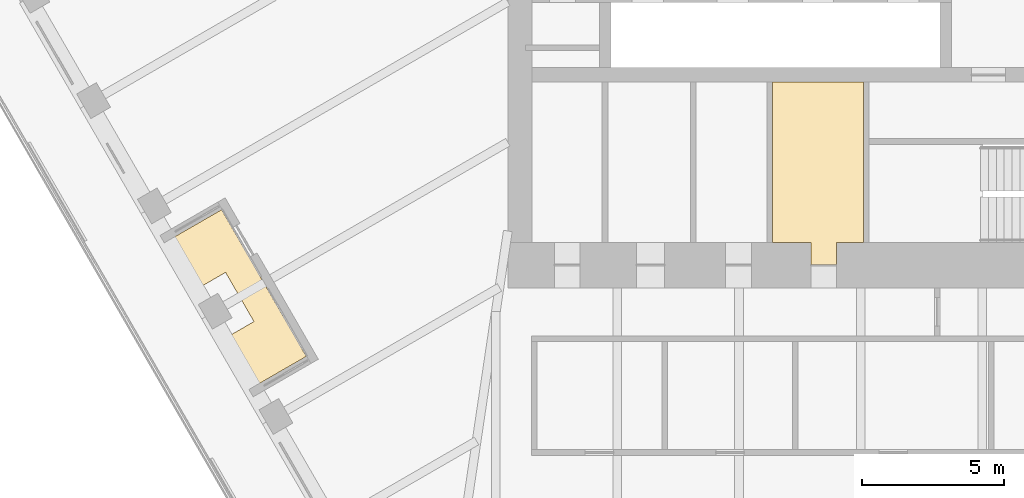
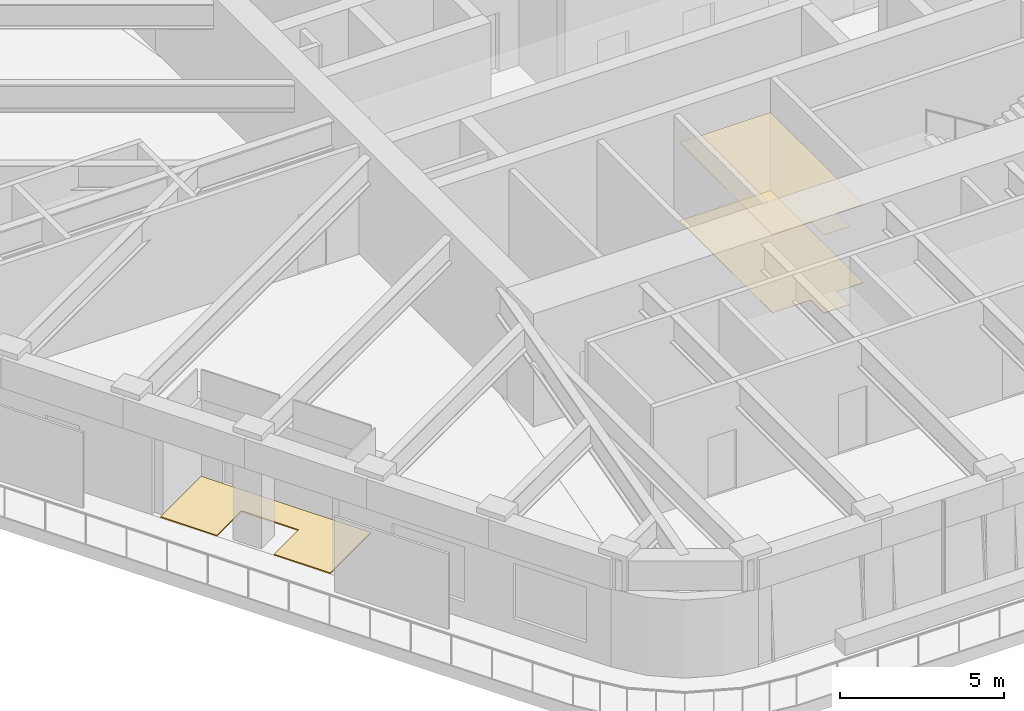
# One storey, part 17 of 19: 3 coverings.
"""IFC4 building model written with IfcOpenShell, lengths in metres."""

import ifcopenshell
import ifcopenshell.guid

model = None  # the IFC model being written
_history = None  # IfcOwnerHistory: only IFC2X3 demands one
_inside = {}  # id of a spatial element -> (the spatial element, [elements in it])
_under = {}  # id of a project, library or spatial element -> (it, [spatial elements below it])
_declared = {}  # id of a project -> (the project, [libraries it declares])
_typed = {}  # id of a type object -> (the type object, [elements of that type])
_made_of = {}  # id of a material, layer set ... -> (it, [elements and type objects made of it])


def new_model(schema):
    """Start an empty IFC model of exactly this schema.

    Asked for "IFC4X3", IfcOpenShell would pick the latest addendum, in which some entities
    have other attributes; the version numbers below select the first issue.
    IFC2X3 requires an IfcOwnerHistory on every rooted entity: one is made here for all.
    """
    global model, _history
    if schema == "IFC4X3":
        model = ifcopenshell.file(schema_version=(4, 3, 0, 0))
    else:
        model = ifcopenshell.file(schema=schema)
    _inside.clear()
    _under.clear()
    _declared.clear()
    _typed.clear()
    _made_of.clear()
    _history = None
    if model.schema == "IFC2X3":
        org = make("IfcOrganization", Name="unknown")
        user = make(
            "IfcPersonAndOrganization",
            ThePerson=make("IfcPerson", FamilyName="unknown"),
            TheOrganization=org,
        )
        app = make(
            "IfcApplication",
            ApplicationDeveloper=org,
            Version="unknown",
            ApplicationFullName="unknown",
            ApplicationIdentifier="unknown",
        )
        _history = make(
            "IfcOwnerHistory",
            OwningUser=user,
            OwningApplication=app,
            ChangeAction="ADDED",
            CreationDate=0,
        )
    return model


def make(cls, **values):
    """One entity of the class cls with the attributes given. An attribute that is None is left unset."""
    return model.create_entity(
        cls, **{name: value for name, value in values.items() if value is not None}
    )


def rooted(cls, **values):
    """An entity with a GlobalId (a new one), such as an element, a storey or a relation."""
    return make(cls, GlobalId=ifcopenshell.guid.new(), OwnerHistory=_history, **values)


def si_unit(unit_type, name, prefix=None):
    """IfcSIUnit, for example si_unit("LENGTHUNIT", "METRE", prefix="MILLI")."""
    return make("IfcSIUnit", UnitType=unit_type, Prefix=prefix, Name=name)


def assignment(units):
    """IfcUnitAssignment: the units of a project."""
    return None if units is None else make("IfcUnitAssignment", Units=units)


def point(xyz):
    """IfcCartesianPoint."""
    return None if xyz is None else make("IfcCartesianPoint", Coordinates=xyz)


def direction(xyz):
    """IfcDirection."""
    return None if xyz is None else make("IfcDirection", DirectionRatios=xyz)


def frame(location, z_axis=None, x_axis=None):
    """IfcAxis2Placement3D, a coordinate frame: its origin and axes. An axis left out is left unset."""
    return make(
        "IfcAxis2Placement3D",
        Location=point(location),
        Axis=direction(z_axis),
        RefDirection=direction(x_axis),
    )


def origin():
    """The frame at (0, 0, 0) with its axes left unset."""
    return frame((0.0, 0.0, 0.0))


def place(relative_to, where):
    """IfcLocalPlacement: puts the frame where relative to a parent placement (None: the world)."""
    return make(
        "IfcLocalPlacement", PlacementRelTo=relative_to, RelativePlacement=where
    )


def context(
    kind, dimensions, precision=None, world=None, true_north=None, identifier=None
):
    """IfcGeometricRepresentationContext, for example the 3D "Model" context."""
    return make(
        "IfcGeometricRepresentationContext",
        ContextIdentifier=identifier,
        ContextType=kind,
        CoordinateSpaceDimension=dimensions,
        Precision=precision,
        WorldCoordinateSystem=world,
        TrueNorth=true_north,
    )


def subcontext(parent, identifier, kind, view, scale=None):
    """IfcGeometricRepresentationSubContext, for example "Body" below "Model"."""
    return make(
        "IfcGeometricRepresentationSubContext",
        ContextIdentifier=identifier,
        ContextType=kind,
        ParentContext=parent,
        TargetScale=scale,
        TargetView=view,
    )


def project(units=None, contexts=None):
    """IfcProject with its units and contexts."""
    return rooted(
        "IfcProject",
        Name="project",
        RepresentationContexts=contexts,
        UnitsInContext=assignment(units),
    )


def spatial(cls, under=None, at=None, **own):
    """A site, building, storey or space (cls), placed at a placement, below another one or the project."""
    s = rooted(cls, ObjectPlacement=at, **own)
    if under is not None:
        _under.setdefault(under.id(), (under, []))[1].append(s)
    return s


def polyline(points):
    """IfcPolyline through the points."""
    return make("IfcPolyline", Points=[point(p) for p in points])


def outline(outer, holes=None, kind="AREA"):
    """IfcArbitraryClosedProfileDef: a profile drawn as a closed curve; with holes, ...WithVoids."""
    if holes is None:
        return make("IfcArbitraryClosedProfileDef", ProfileType=kind, OuterCurve=outer)
    return make(
        "IfcArbitraryProfileDefWithVoids",
        ProfileType=kind,
        OuterCurve=outer,
        InnerCurves=holes,
    )


def extrude(swept, where, along, depth):
    """IfcExtrudedAreaSolid: the profile swept, set in the frame where, extruded along a direction by depth."""
    return make(
        "IfcExtrudedAreaSolid",
        SweptArea=swept,
        Position=where,
        ExtrudedDirection=direction(along),
        Depth=depth,
    )


def shape(context_of_items, identifier, shape_type, items):
    """IfcShapeRepresentation: the items that make up one representation, for example the "Body"."""
    return make(
        "IfcShapeRepresentation",
        ContextOfItems=context_of_items,
        RepresentationIdentifier=identifier,
        RepresentationType=shape_type,
        Items=items,
    )


def material(Name=None, Category=None):
    """IfcMaterial."""
    return make("IfcMaterial", Name=Name, Category=Category)


def layer(
    of_material, thickness, ventilated=None, Name=None, Category=None, Priority=None
):
    """IfcMaterialLayer: one layer of a wall or slab, of a material (None: an air gap)."""
    return make(
        "IfcMaterialLayer",
        Material=of_material,
        LayerThickness=thickness,
        IsVentilated=ventilated,
        Name=Name,
        Category=Category,
        Priority=Priority,
    )


def layer_set(layers, Name=None):
    """IfcMaterialLayerSet."""
    return make("IfcMaterialLayerSet", MaterialLayers=layers, LayerSetName=Name)


def made_of(thing, what):
    """Note that an element or type object is made of a material, layer set ...; save() writes the relation."""
    if what is not None:
        _made_of.setdefault(what.id(), (what, []))[1].append(thing)
    return thing


def type_object(cls, material=None, **own):
    """A type object (cls), such as IfcWallType, which elements share."""
    return made_of(rooted(cls, **own), material)


def element(
    cls,
    number,
    at=None,
    inside=None,
    cuts=None,
    type_object=None,
    material=None,
    context=None,
    identifier="Body",
    shape_type=None,
    held_by="IfcProductDefinitionShape",
    body=None,
    shapes=None,
    **own,
):
    """One element of the class cls, such as IfcWall. Its Tag is "e" and its number.

    at: its placement. inside: the storey or other place that contains it. cuts: it is an
    opening in that element (IfcRelVoidsElement). A single representation is given by context,
    identifier, shape_type and body (its items); several are given by shapes. held_by: the class
    of the entity that holds the representations. save() writes the other relations.
    """
    e = rooted(cls, Tag="e%d" % number, ObjectPlacement=at, **own)
    if body is not None:
        shapes = [shape(context, identifier, shape_type, body)]
    if shapes is not None:
        e.Representation = make(held_by, Representations=shapes)
    if inside is not None:
        _inside.setdefault(inside.id(), (inside, []))[1].append(e)
    if cuts is not None:
        rooted(
            "IfcRelVoidsElement", RelatingBuildingElement=cuts, RelatedOpeningElement=e
        )
    if type_object is not None:
        _typed.setdefault(type_object.id(), (type_object, []))[1].append(e)
    return made_of(e, material)


def aggregate(whole, parts):
    """IfcRelAggregates: a whole, such as a stair, and the parts it consists of."""
    return rooted("IfcRelAggregates", RelatingObject=whole, RelatedObjects=parts)


def save(model, path):
    """Write the relations noted so far, then the file.

    IfcRelAggregates (storeys below a building ...), IfcRelContainedInSpatialStructure (elements
    in a storey), IfcRelDefinesByType, IfcRelAssociatesMaterial and IfcRelDeclares: one each for
    every whole, place, type object, material and project.
    """
    for whole, parts in _under.values():
        aggregate(whole, parts)
    for where, things in _inside.values():
        rooted(
            "IfcRelContainedInSpatialStructure",
            RelatedElements=things,
            RelatingStructure=where,
        )
    for kind, things in _typed.values():
        rooted("IfcRelDefinesByType", RelatedObjects=things, RelatingType=kind)
    for what, things in _made_of.values():
        rooted("IfcRelAssociatesMaterial", RelatedObjects=things, RelatingMaterial=what)
    for by, libraries in _declared.values():
        rooted("IfcRelDeclares", RelatingContext=by, RelatedDefinitions=libraries)
    model.write(path)


model = new_model("IFC4")

# Units and contexts
model_context = context("Model", 3, precision=1e-05, world=origin(), true_north=direction((0.0, 1.0)))
body_context = subcontext(model_context, "Body", "Model", "MODEL_VIEW")
ifc_project = project(units=[si_unit("LENGTHUNIT", "METRE"), si_unit("AREAUNIT", "SQUARE_METRE"), si_unit("VOLUMEUNIT", "CUBIC_METRE"), si_unit("PLANEANGLEUNIT", "RADIAN"), si_unit("MASSUNIT", "GRAM", prefix="KILO")], contexts=[model_context])

# Site, building, storey
site_placement = place(None, origin())
site = spatial("IfcSite", under=ifc_project, at=site_placement, CompositionType="ELEMENT")
building_placement = place(site_placement, origin())
building = spatial("IfcBuilding", under=site, at=building_placement, Name="Tarfa Lantern Tower", CompositionType="ELEMENT")
storey_placement = place(building_placement, frame((0.0, 0.0, 332.5)))
storey = spatial("IfcBuildingStorey", under=building, at=storey_placement, Name="L75", CompositionType="ELEMENT", Elevation=332.5)

# Coverings
ifc_material_1 = material(Name="Moisture-resistant plasterboard", Category="finish")
ifc_layer_1 = layer(ifc_material_1, 0.014892578125)
ifc_layer_set_1 = layer_set([ifc_layer_1], Name="CL2 MOISTURE-RESISTANT PLASTERBOARD CEILING 15")
covering_type_1 = type_object("IfcCoveringType", Name="CL2 MOISTURE-RESISTANT PLASTERBOARD CEILING 15", PredefinedType="CEILING", material=ifc_layer_set_1)
covering_1_placement = place(storey_placement, frame((0.0, 0.0, 2.89990234375)))
element("IfcCovering", 1, at=covering_1_placement, inside=storey, type_object=covering_type_1, Name="Ceiling L75-13", PredefinedType="CEILING", context=body_context, shape_type="SweptSolid", body=[
    extrude(outline(polyline([(-0.85009765625, -10.699951171875), (0.10009765625, -10.699951171875), (0.10009765625, -5.050048828125), (-3.10009765625, -5.050048828125), (-3.10009765625, -10.699951171875), (-1.75, -10.699951171875), (-1.75, -11.5), (-0.85009765625, -11.5), (-0.85009765625, -10.699951171875)])), origin(), (0.0, 0.0, 1.0), 0.01513671875),
])
ifc_material_2 = material(Name="Porcelain floor tile", Category="finish")
ifc_layer_2 = layer(ifc_material_2, 0.011962890625)
ifc_layer_set_2 = layer_set([ifc_layer_2], Name="FL3 CERAMIC TILE 12")
covering_type_2 = type_object("IfcCoveringType", Name="FL3 CERAMIC TILE 12", PredefinedType="FLOORING", material=ifc_layer_set_2)
covering_2_placement = place(storey_placement, origin())
element("IfcCovering", 2, at=covering_2_placement, inside=storey, type_object=covering_type_2, Name="Floor finish L75-13", PredefinedType="FLOORING", context=body_context, shape_type="SweptSolid", body=[
    extrude(outline(polyline([(-0.85009765625, -10.699951171875), (0.10009765625, -10.699951171875), (0.10009765625, -5.050048828125), (-3.10009765625, -5.050048828125), (-3.10009765625, -10.699951171875), (-1.75, -10.699951171875), (-1.75, -11.5), (-0.85009765625, -11.5), (-0.85009765625, -10.699951171875)])), origin(), (0.0, 0.0, 1.0), 0.011962890625),
])
ifc_material_3 = material(Name="Porcelain pavers on pedestals", Category="ceramic")
ifc_layer_3 = layer(ifc_material_3, 0.0400390625)
ifc_layer_set_3 = layer_set([ifc_layer_3], Name="LP1 LOGGIA PAVING 40")
covering_type_3 = type_object("IfcCoveringType", Name="LP1 LOGGIA PAVING 40", PredefinedType="FLOORING", material=ifc_layer_set_3)
covering_3_placement = place(storey_placement, origin())
element("IfcCovering", 3, at=covering_3_placement, inside=storey, type_object=covering_type_3, Name="Terrace paving SW", PredefinedType="FLOORING", context=body_context, shape_type="SweptSolid", body=[
    extrude(outline(polyline([(-24.6572265625, -10.79248046875), (-22.509521484375, -9.552490234375), (-19.52734375, -14.717529296875), (-21.67529296875, -15.95751953125), (-22.666259765625, -14.240966796875), (-21.3671875, -13.490966796875), (-22.3671875, -11.759033203125), (-23.666259765625, -12.509033203125), (-24.6572265625, -10.79248046875)])), origin(), (0.0, 0.0, 1.0), 0.0400390625),
])

save(model, "model.ifc")
